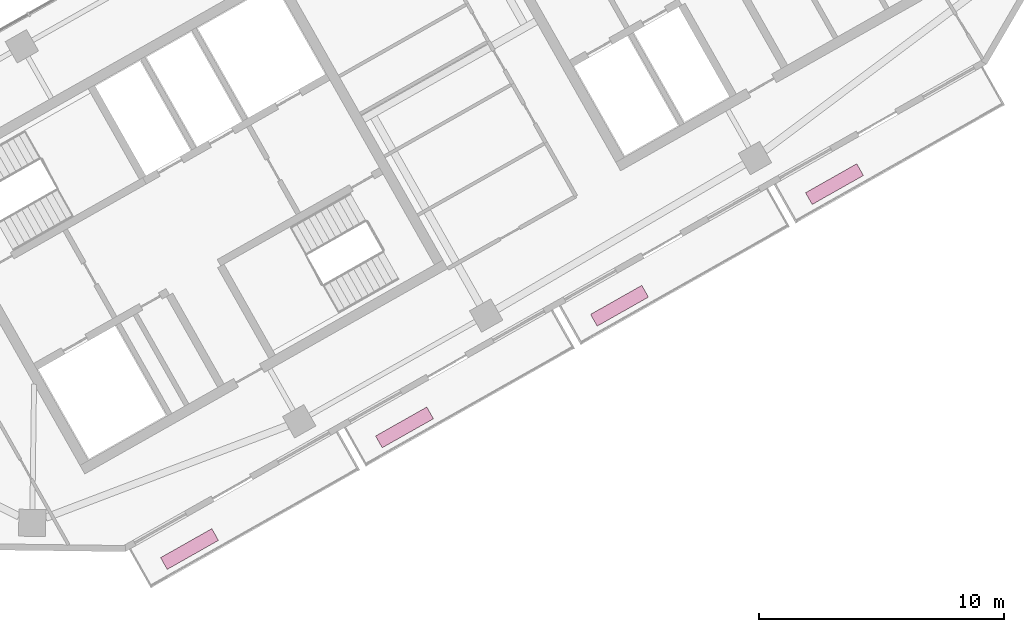
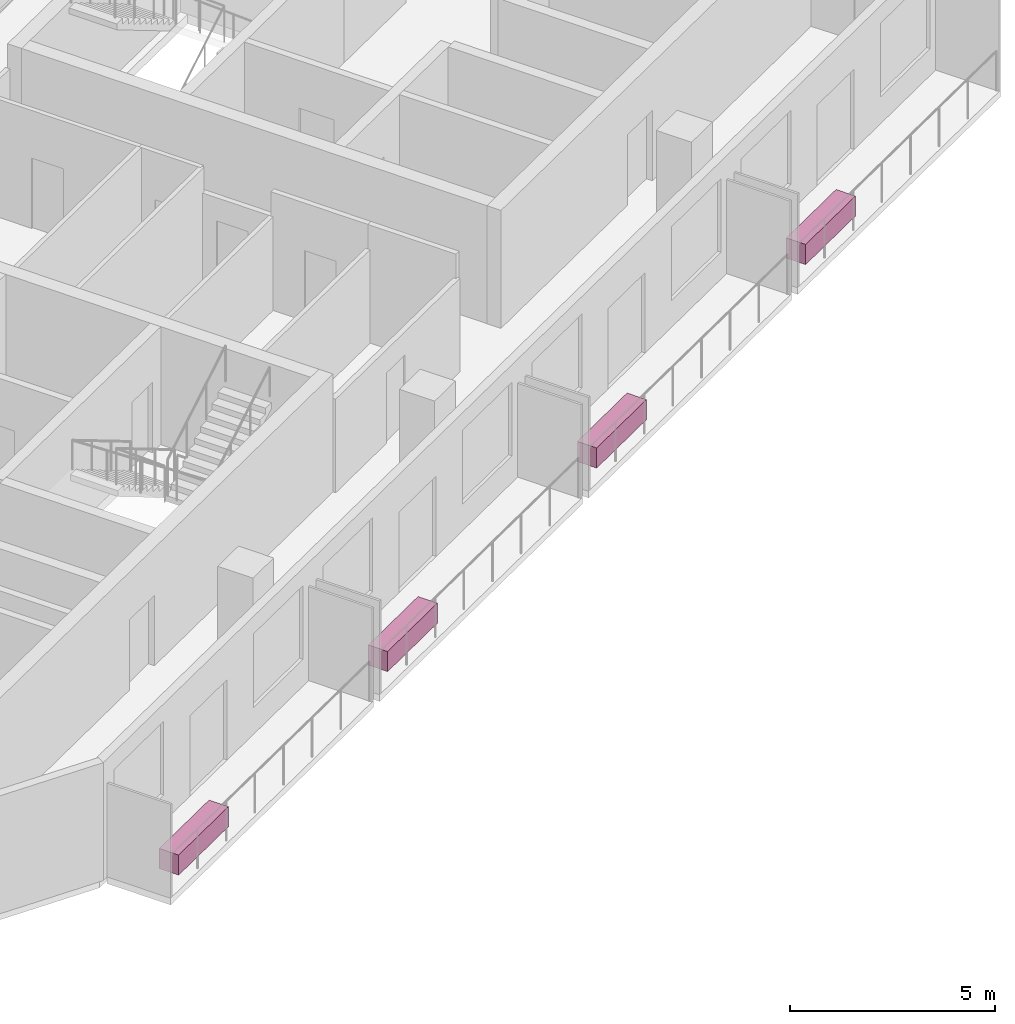
# One storey, part 10 of 10: 4 furnishings.
"""IFC4 building model written with IfcOpenShell, lengths in metres."""

from ifc_helpers import new_model, si_unit, direction, frame, origin, origin_2d, place, context, subcontext, project, spatial, rectangle, extrude, material, type_object, element, save


model = new_model("IFC4")

# Units and contexts
model_context = context("Model", 3, precision=1e-05, world=origin(), true_north=direction((0.0, 1.0)))
body_context = subcontext(model_context, "Body", "Model", "MODEL_VIEW")
ifc_project = project(units=[si_unit("LENGTHUNIT", "METRE"), si_unit("AREAUNIT", "SQUARE_METRE"), si_unit("VOLUMEUNIT", "CUBIC_METRE"), si_unit("PLANEANGLEUNIT", "RADIAN"), si_unit("MASSUNIT", "GRAM", prefix="KILO")], contexts=[model_context])

# Site, building, storey
site_placement = place(None, origin())
site = spatial("IfcSite", under=ifc_project, at=site_placement, CompositionType="ELEMENT")
building_placement = place(site_placement, origin())
building = spatial("IfcBuilding", under=site, at=building_placement, Name="Binnacle Exchange Tower", CompositionType="ELEMENT")
storey_placement = place(building_placement, frame((0.0, 0.0, 339.300048828125)))
storey = spatial("IfcBuildingStorey", under=building, at=storey_placement, Name="L77", CompositionType="ELEMENT", Elevation=339.300048828125)

# Furnishings
ifc_material = material(Name="Concrete C35/45", Category="concrete")
furnishing_element_type = type_object("IfcFurnishingElementType", Name="PLANTER 2400x550x600", material=ifc_material)
for number, where, z_axis, x_axis, name in (
    (1, (-35.44677734375, 26.428466796875, 0.0), (0.0, 0.0, 1.0), (0.87035569594, 0.492423560103, 0.0), "Planter H07-B00a L77"),
    (2, (-26.683837890625, 31.38623046875, 0.0), (0.0, 0.0, 1.0), (0.87035569594, 0.492423560103, 0.0), "Planter H07-B01a L77"),
    (3, (-17.9208984375, 36.34423828125, 0.0), (0.0, 0.0, 1.0), (0.87035569594, 0.492423560103, 0.0), "Planter H07-B02a L77"),
    (4, (-9.158203125, 41.302001953125, 0.0), (0.0, 0.0, 1.0), (0.87035569594, 0.492423560103, 0.0), "Planter H07-B03a L77"),
):
    element("IfcFurnishingElement", number, at=place(storey_placement, frame(where, z_axis=z_axis, x_axis=x_axis)), inside=storey, type_object=furnishing_element_type, Name=name, ObjectType="PLANTER", context=body_context, shape_type="SweptSolid", body=[
        extrude(rectangle(XDim=2.39990234375, YDim=0.550048828125, at=origin_2d()), origin(), (0.0, 0.0, 1.0), 0.60009765625),
    ])

save(model, "model.ifc")
